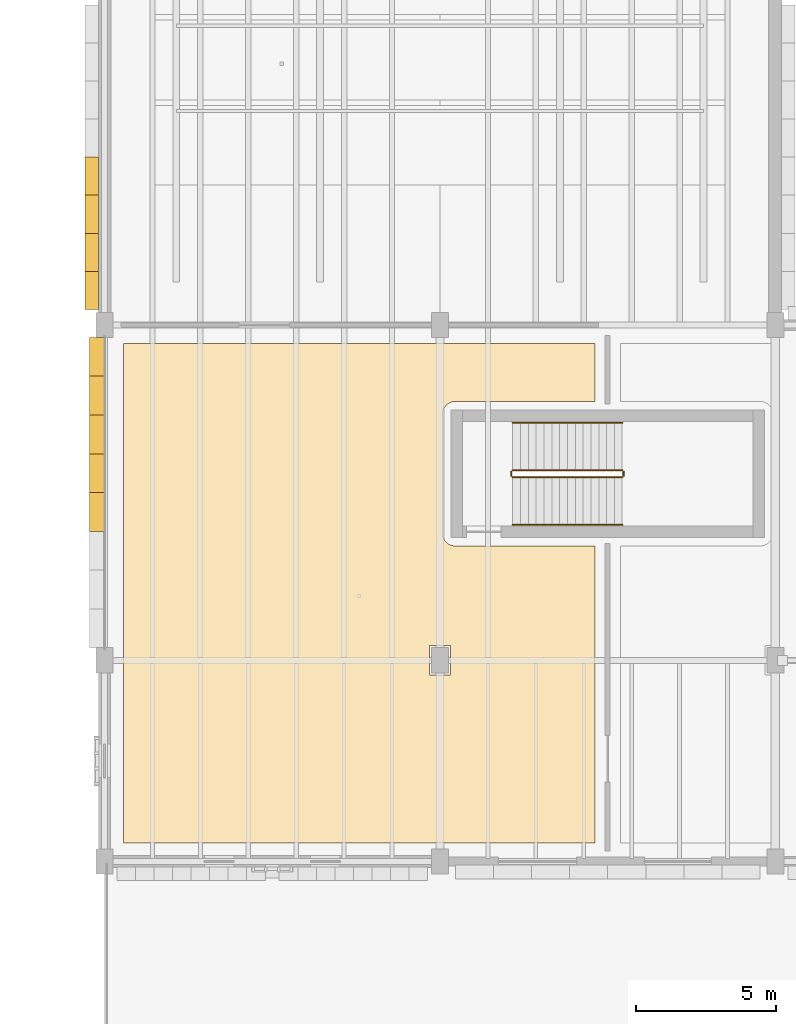
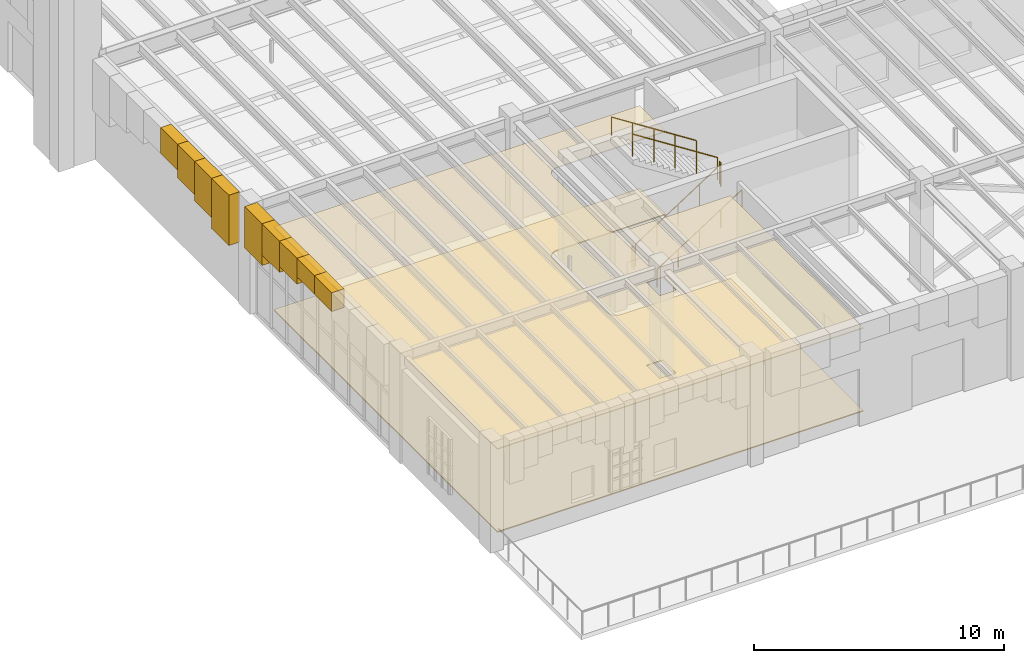
# One storey, part 71 of 103: 11 coverings, 6 railings.
"""IFC4 building model written with IfcOpenShell, lengths in metres."""

from ifc_helpers import new_model, si_unit, direction, frame, origin, origin_2d, place, context, subcontext, project, spatial, polyline, circle, outline, extrude, material, layer, layer_set, type_object, element, save


model = new_model("IFC4")

# Units and contexts
model_context = context("Model", 3, precision=1e-05, world=origin(), true_north=direction((0.0, 1.0)))
body_context = subcontext(model_context, "Body", "Model", "MODEL_VIEW")
ifc_project = project(units=[si_unit("LENGTHUNIT", "METRE"), si_unit("AREAUNIT", "SQUARE_METRE"), si_unit("VOLUMEUNIT", "CUBIC_METRE"), si_unit("PLANEANGLEUNIT", "RADIAN"), si_unit("MASSUNIT", "GRAM", prefix="KILO")], contexts=[model_context])

# Site, building, storey
site_placement = place(None, origin())
site = spatial("IfcSite", under=ifc_project, at=site_placement, CompositionType="ELEMENT")
building_placement = place(site_placement, origin())
building = spatial("IfcBuilding", under=site, at=building_placement, Name="Zlatogorsky Bluff Art Gallery", CompositionType="ELEMENT")
storey_placement = place(building_placement, origin())
storey = spatial("IfcBuildingStorey", under=building, at=storey_placement, Name="L00", CompositionType="ELEMENT", Elevation=0.0)

# Coverings
ifc_material_1 = material(Name="Perforated Gypsum Acoustic Board", Category="gypsum")
ifc_layer_1 = layer(ifc_material_1, 0.0400390625)
ifc_layer_set_1 = layer_set([ifc_layer_1], Name="Acoustic Gallery Ceiling CLG-01")
covering_type_1 = type_object("IfcCoveringType", Name="Acoustic Gallery Ceiling CLG-01", PredefinedType="CEILING", material=ifc_layer_set_1)
covering_1_placement = place(storey_placement, frame((0.0, 0.0, 4.050048828125)))
element("IfcCovering", 1, at=covering_1_placement, inside=storey, type_object=covering_type_1, Name="Learning Centre Studios acoustic ceiling", PredefinedType="CEILING", context=body_context, shape_type="SweptSolid", body=[
    extrude(outline(polyline([(17.550048828125, 23.659912109375), (12.549072265625, 23.659912109375), (12.504638671875, 23.65771484375), (12.460693359375, 23.6513671875), (12.459716796875, 23.651123046875), (12.450439453125, 23.649169921875), (12.449462890625, 23.64892578125), (12.40625, 23.636962890625), (12.3642578125, 23.620849609375), (12.362548828125, 23.6201171875), (12.326904296875, 23.602294921875), (12.325927734375, 23.601806640625), (12.293701171875, 23.58203125), (12.26318359375, 23.559814453125), (12.26171875, 23.55859375), (12.224609375, 23.525390625), (12.19140625, 23.48828125), (12.190185546875, 23.48681640625), (12.16796875, 23.456298828125), (12.148193359375, 23.424072265625), (12.147705078125, 23.423095703125), (12.1298828125, 23.387451171875), (12.129150390625, 23.3857421875), (12.113037109375, 23.34375), (12.10107421875, 23.300537109375), (12.100830078125, 23.299560546875), (12.098876953125, 23.290283203125), (12.0986328125, 23.289306640625), (12.09228515625, 23.245361328125), (12.090087890625, 23.200927734375), (12.090087890625, 18.948974609375), (12.09228515625, 18.90478515625), (12.0986328125, 18.860595703125), (12.098876953125, 18.859619140625), (12.100830078125, 18.850341796875), (12.10107421875, 18.849609375), (12.113037109375, 18.80615234375), (12.129150390625, 18.764404296875), (12.1298828125, 18.762451171875), (12.147705078125, 18.726806640625), (12.148193359375, 18.725830078125), (12.16796875, 18.693603515625), (12.190185546875, 18.663330078125), (12.19140625, 18.661865234375), (12.224609375, 18.624755859375), (12.26171875, 18.591552734375), (12.26318359375, 18.59033203125), (12.293701171875, 18.568115234375), (12.325927734375, 18.54833984375), (12.326904296875, 18.5478515625), (12.362548828125, 18.530029296875), (12.3642578125, 18.529296875), (12.40625, 18.512939453125), (12.449462890625, 18.501220703125), (12.450439453125, 18.5009765625), (12.459716796875, 18.498779296875), (12.460693359375, 18.498779296875), (12.504638671875, 18.4921875), (12.549072265625, 18.489990234375), (17.550048828125, 18.489990234375), (17.550048828125, 7.8701171875), (0.669921875, 7.8701171875), (0.669921875, 25.72998046875), (17.550048828125, 25.72998046875), (17.550048828125, 23.659912109375)]), holes=[polyline([(11.6201171875, 14.929931640625), (11.6201171875, 13.8701171875), (12.3798828125, 13.8701171875), (12.3798828125, 14.929931640625), (11.6201171875, 14.929931640625)])]), origin(), (0.0, 0.0, 1.0), 0.0400390625),
])
ifc_material_2 = material(Name="Honed Red Agra-Tone Quartzitic Sandstone", Category="masonry")
ifc_layer_2 = layer(ifc_material_2, 0.1201171875)
ifc_layer_set_2 = layer_set([ifc_layer_2], Name="Carved Sandstone Cladding CLD-02")
covering_type_2 = type_object("IfcCoveringType", Name="Carved Sandstone Cladding CLD-02", PredefinedType="CLADDING", material=ifc_layer_set_2)
covering_2_placement = place(storey_placement, frame((0.0, 0.0, 4.45458984375)))
element("IfcCovering", 2, at=covering_2_placement, inside=storey, type_object=covering_type_2, Name="Pointed Mughal arch voussoir spandrel ARCH-CW-L00-W-00-02.4", PredefinedType="CLADDING", context=body_context, shape_type="SweptSolid", body=[
    extrude(outline(polyline([(-0.5400390625, 19.01123046875), (-0.5400390625, 20.39990234375), (0.030029296875, 20.39990234375), (0.030029296875, 19.01123046875), (-0.5400390625, 19.01123046875)])), origin(), (0.0, 0.0, 1.0), 0.905517578125),
])
covering_3_placement = place(storey_placement, frame((0.0, 0.0, 4.45458984375)))
element("IfcCovering", 3, at=covering_3_placement, inside=storey, type_object=covering_type_2, Name="Pointed Mughal arch voussoir spandrel ARCH-CW-L00-W-00-02.5", PredefinedType="CLADDING", context=body_context, shape_type="SweptSolid", body=[
    extrude(outline(polyline([(-0.5400390625, 20.39990234375), (-0.5400390625, 21.788818359375), (0.030029296875, 21.788818359375), (0.030029296875, 20.39990234375), (-0.5400390625, 20.39990234375)])), origin(), (0.0, 0.0, 1.0), 0.905517578125),
])
covering_4_placement = place(storey_placement, frame((0.0, 0.0, 4.1064453125)))
element("IfcCovering", 4, at=covering_4_placement, inside=storey, type_object=covering_type_2, Name="Pointed Mughal arch voussoir spandrel ARCH-CW-L00-W-00-02.6", PredefinedType="CLADDING", context=body_context, shape_type="SweptSolid", body=[
    extrude(outline(polyline([(-0.5400390625, 21.788818359375), (-0.5400390625, 23.177490234375), (0.030029296875, 23.177490234375), (0.030029296875, 21.788818359375), (-0.5400390625, 21.788818359375)])), origin(), (0.0, 0.0, 1.0), 1.253662109375),
])
covering_5_placement = place(storey_placement, frame((0.0, 0.0, 3.82958984375)))
element("IfcCovering", 5, at=covering_5_placement, inside=storey, type_object=covering_type_2, Name="Pointed Mughal arch voussoir spandrel ARCH-CW-L00-W-00-02.7", PredefinedType="CLADDING", context=body_context, shape_type="SweptSolid", body=[
    extrude(outline(polyline([(-0.5400390625, 23.177490234375), (-0.5400390625, 24.566162109375), (0.030029296875, 24.566162109375), (0.030029296875, 23.177490234375), (-0.5400390625, 23.177490234375)])), origin(), (0.0, 0.0, 1.0), 1.530517578125),
])
covering_6_placement = place(storey_placement, frame((0.0, 0.0, 3.327880859375)))
element("IfcCovering", 6, at=covering_6_placement, inside=storey, type_object=covering_type_2, Name="Pointed Mughal arch voussoir spandrel ARCH-CW-L00-W-00-02.8", PredefinedType="CLADDING", context=body_context, shape_type="SweptSolid", body=[
    extrude(outline(polyline([(-0.5400390625, 24.566162109375), (-0.5400390625, 25.955078125), (0.030029296875, 25.955078125), (0.030029296875, 24.566162109375), (-0.5400390625, 24.566162109375)])), origin(), (0.0, 0.0, 1.0), 2.0322265625),
])
covering_7_placement = place(storey_placement, frame((0.0, 0.0, 2.90234375)))
element("IfcCovering", 7, at=covering_7_placement, inside=storey, type_object=covering_type_2, Name="Pointed Mughal arch voussoir spandrel WARCH-L00-W-00-03-A.1", PredefinedType="CLADDING", context=body_context, shape_type="SweptSolid", body=[
    extrude(outline(polyline([(-0.699951171875, 26.949951171875), (-0.699951171875, 28.3125), (-0.2099609375, 28.3125), (-0.2099609375, 26.949951171875), (-0.699951171875, 26.949951171875)])), origin(), (0.0, 0.0, 1.0), 2.457763671875),
])
covering_8_placement = place(storey_placement, frame((0.0, 0.0, 3.433837890625)))
element("IfcCovering", 8, at=covering_8_placement, inside=storey, type_object=covering_type_2, Name="Pointed Mughal arch voussoir spandrel WARCH-L00-W-00-03-A.2", PredefinedType="CLADDING", context=body_context, shape_type="SweptSolid", body=[
    extrude(outline(polyline([(-0.699951171875, 28.3125), (-0.699951171875, 29.675048828125), (-0.2099609375, 29.675048828125), (-0.2099609375, 28.3125), (-0.699951171875, 28.3125)])), origin(), (0.0, 0.0, 1.0), 1.92626953125),
])
covering_9_placement = place(storey_placement, frame((0.0, 0.0, 3.726806640625)))
element("IfcCovering", 9, at=covering_9_placement, inside=storey, type_object=covering_type_2, Name="Pointed Mughal arch voussoir spandrel WARCH-L00-W-00-03-A.3", PredefinedType="CLADDING", context=body_context, shape_type="SweptSolid", body=[
    extrude(outline(polyline([(-0.699951171875, 29.675048828125), (-0.699951171875, 31.03759765625), (-0.2099609375, 31.03759765625), (-0.2099609375, 29.675048828125), (-0.699951171875, 29.675048828125)])), origin(), (0.0, 0.0, 1.0), 1.63330078125),
])
covering_10_placement = place(storey_placement, frame((0.0, 0.0, 4.095458984375)))
element("IfcCovering", 10, at=covering_10_placement, inside=storey, type_object=covering_type_2, Name="Pointed Mughal arch voussoir spandrel WARCH-L00-W-00-03-A.4", PredefinedType="CLADDING", context=body_context, shape_type="SweptSolid", body=[
    extrude(outline(polyline([(-0.699951171875, 31.03759765625), (-0.699951171875, 32.39990234375), (-0.2099609375, 32.39990234375), (-0.2099609375, 31.03759765625), (-0.699951171875, 31.03759765625)])), origin(), (0.0, 0.0, 1.0), 1.2646484375),
])

# Railings
ifc_material_3 = material(Name="Architectural Bronze and Laminated Glass", Category="glass")
railing_type_1 = type_object("IfcRailingType", Name="Gallery Guard Rail 1100mm", PredefinedType="GUARDRAIL", material=ifc_material_3)
railing_1_placement = place(storey_placement, frame((14.60009765625, 20.949951171875, 0.179931640625)))
element("IfcRailing", 11, at=railing_1_placement, inside=storey, type_object=railing_type_1, Name="L00 ST-09 stair guard 1", PredefinedType="GUARDRAIL", context=body_context, shape_type="SweptSolid", body=[
    extrude(circle(Radius=0.02392578125, at=origin_2d()), frame((0.0, 0.0, 1.076171875), z_axis=(0.841171666519, 0.0, 0.540768182723), x_axis=(0.0, 1.0, 0.0)), (0.0, 0.0, 1.0), 4.66015625),
    extrude(circle(Radius=0.02099609375, at=origin_2d()), origin(), (0.0, 0.0, 1.0), 1.052001953125),
    extrude(circle(Radius=0.02099609375, at=origin_2d()), frame((0.97998046875, 0.0, 0.6298828125)), (0.0, 0.0, 1.0), 1.052001953125),
    extrude(circle(Radius=0.02099609375, at=origin_2d()), frame((1.9599609375, 0.0, 1.260009765625)), (0.0, 0.0, 1.0), 1.052001953125),
    extrude(circle(Radius=0.02099609375, at=origin_2d()), frame((2.93994140625, 0.0, 1.89013671875)), (0.0, 0.0, 1.0), 1.052001953125),
    extrude(circle(Radius=0.02099609375, at=origin_2d()), frame((3.919921875, 0.0, 2.52001953125)), (0.0, 0.0, 1.0), 1.052001953125),
])
railing_2_placement = place(storey_placement, frame((18.570068359375, 21.0, 2.699951171875)))
element("IfcRailing", 12, at=railing_2_placement, inside=storey, type_object=railing_type_1, Name="L00 ST-09 stair guard 2", PredefinedType="GUARDRAIL", context=body_context, shape_type="SweptSolid", body=[
    extrude(circle(Radius=0.02392578125, at=origin_2d()), frame((0.0, 0.0, 1.076171875), z_axis=(0.0, 1.0, 0.0), x_axis=(-1.0, 0.0, 0.0)), (0.0, 0.0, 1.0), 0.14990234375),
    extrude(circle(Radius=0.02099609375, at=origin_2d()), origin(), (0.0, 0.0, 1.0), 1.052001953125),
    extrude(circle(Radius=0.02099609375, at=origin_2d()), frame((0.0, 0.14990234375, 0.0)), (0.0, 0.0, 1.0), 1.052001953125),
])
railing_3_placement = place(storey_placement, frame((18.52001953125, 21.199951171875, 2.8798828125)))
element("IfcRailing", 13, at=railing_3_placement, inside=storey, type_object=railing_type_1, Name="L00 ST-09 stair guard 3", PredefinedType="GUARDRAIL", context=body_context, shape_type="SweptSolid", body=[
    extrude(circle(Radius=0.02392578125, at=origin_2d()), frame((0.0, 0.0, 1.076171875), z_axis=(-0.841171666519, 0.0, 0.540768182723), x_axis=(0.0, -1.0, 0.0)), (0.0, 0.0, 1.0), 4.66015625),
    extrude(circle(Radius=0.02099609375, at=origin_2d()), origin(), (0.0, 0.0, 1.0), 1.052001953125),
    extrude(circle(Radius=0.02099609375, at=origin_2d()), frame((-0.97998046875, 0.0, 0.6298828125)), (0.0, 0.0, 1.0), 1.052001953125),
    extrude(circle(Radius=0.02099609375, at=origin_2d()), frame((-1.9599609375, 0.0, 1.260009765625)), (0.0, 0.0, 1.0), 1.052001953125),
    extrude(circle(Radius=0.02099609375, at=origin_2d()), frame((-2.93994140625, 0.0, 1.89013671875)), (0.0, 0.0, 1.0), 1.052001953125),
    extrude(circle(Radius=0.02099609375, at=origin_2d()), frame((-3.919921875, 0.0, 2.52001953125)), (0.0, 0.0, 1.0), 1.052001953125),
])
railing_4_placement = place(storey_placement, frame((14.550048828125, 21.0, 0.0)))
element("IfcRailing", 14, at=railing_4_placement, inside=storey, type_object=railing_type_1, Name="L00 ST-09 stair guard 4", PredefinedType="GUARDRAIL", context=body_context, shape_type="SweptSolid", body=[
    extrude(circle(Radius=0.02392578125, at=origin_2d()), frame((0.0, 0.0, 1.076171875), z_axis=(0.0, 1.0, 0.0), x_axis=(-1.0, 0.0, 0.0)), (0.0, 0.0, 1.0), 0.14990234375),
    extrude(circle(Radius=0.02099609375, at=origin_2d()), origin(), (0.0, 0.0, 1.0), 1.052001953125),
    extrude(circle(Radius=0.02099609375, at=origin_2d()), frame((0.0, 0.14990234375, 0.0)), (0.0, 0.0, 1.0), 1.052001953125),
])
ifc_material_4 = material(Name="Brushed Stainless Steel", Category="steel")
railing_type_2 = type_object("IfcRailingType", Name="Stair Pitch Handrail 900mm", PredefinedType="HANDRAIL", material=ifc_material_4)
railing_5_placement = place(storey_placement, frame((14.60009765625, 19.25, 0.179931640625)))
element("IfcRailing", 15, at=railing_5_placement, inside=storey, type_object=railing_type_2, Name="L00 ST-09 stair handrail 1", PredefinedType="HANDRAIL", context=body_context, shape_type="SweptSolid", body=[
    extrude(circle(Radius=0.02392578125, at=origin_2d()), frame((0.0, 0.0, 0.8759765625), z_axis=(0.841171666519, 0.0, 0.540768182723), x_axis=(0.0, 1.0, 0.0)), (0.0, 0.0, 1.0), 4.66015625),
    extrude(circle(Radius=0.02099609375, at=origin_2d()), origin(), (0.0, 0.0, 1.0), 0.851806640625),
    extrude(circle(Radius=0.02099609375, at=origin_2d()), frame((0.97998046875, 0.0, 0.6298828125)), (0.0, 0.0, 1.0), 0.851806640625),
    extrude(circle(Radius=0.02099609375, at=origin_2d()), frame((1.9599609375, 0.0, 1.260009765625)), (0.0, 0.0, 1.0), 0.851806640625),
    extrude(circle(Radius=0.02099609375, at=origin_2d()), frame((2.93994140625, 0.0, 1.89013671875)), (0.0, 0.0, 1.0), 0.851806640625),
    extrude(circle(Radius=0.02099609375, at=origin_2d()), frame((3.919921875, 0.0, 2.52001953125)), (0.0, 0.0, 1.0), 0.851806640625),
])
railing_6_placement = place(storey_placement, frame((18.52001953125, 22.89990234375, 2.8798828125)))
element("IfcRailing", 16, at=railing_6_placement, inside=storey, type_object=railing_type_2, Name="L00 ST-09 stair handrail 2", PredefinedType="HANDRAIL", context=body_context, shape_type="SweptSolid", body=[
    extrude(circle(Radius=0.02392578125, at=origin_2d()), frame((0.0, 0.0, 0.8759765625), z_axis=(-0.841171666519, 0.0, 0.540768182723), x_axis=(0.0, -1.0, 0.0)), (0.0, 0.0, 1.0), 4.66015625),
    extrude(circle(Radius=0.02099609375, at=origin_2d()), origin(), (0.0, 0.0, 1.0), 0.851806640625),
    extrude(circle(Radius=0.02099609375, at=origin_2d()), frame((-0.97998046875, 0.0, 0.6298828125)), (0.0, 0.0, 1.0), 0.851806640625),
    extrude(circle(Radius=0.02099609375, at=origin_2d()), frame((-1.9599609375, 0.0, 1.260009765625)), (0.0, 0.0, 1.0), 0.851806640625),
    extrude(circle(Radius=0.02099609375, at=origin_2d()), frame((-2.93994140625, 0.0, 1.89013671875)), (0.0, 0.0, 1.0), 0.851806640625),
    extrude(circle(Radius=0.02099609375, at=origin_2d()), frame((-3.919921875, 0.0, 2.52001953125)), (0.0, 0.0, 1.0), 0.851806640625),
])

# Covering
ifc_material_5 = material(Name="Polished Ural Marble Terrazzo", Category="masonry")
ifc_layer_3 = layer(ifc_material_5, 0.050048828125)
ifc_layer_set_3 = layer_set([ifc_layer_3], Name="Terrazzo Gallery Flooring FLR-01")
covering_type_3 = type_object("IfcCoveringType", Name="Terrazzo Gallery Flooring FLR-01", PredefinedType="FLOORING", material=ifc_layer_set_3)
covering_11_placement = place(storey_placement, origin())
element("IfcCovering", 17, at=covering_11_placement, inside=storey, type_object=covering_type_3, Name="Learning Centre Studios terrazzo floor finish", PredefinedType="FLOORING", context=body_context, shape_type="SweptSolid", body=[
    extrude(outline(polyline([(17.550048828125, 23.659912109375), (12.549072265625, 23.659912109375), (12.504638671875, 23.65771484375), (12.460693359375, 23.6513671875), (12.459716796875, 23.651123046875), (12.450439453125, 23.649169921875), (12.449462890625, 23.64892578125), (12.40625, 23.636962890625), (12.3642578125, 23.620849609375), (12.362548828125, 23.6201171875), (12.326904296875, 23.602294921875), (12.325927734375, 23.601806640625), (12.293701171875, 23.58203125), (12.26318359375, 23.559814453125), (12.26171875, 23.55859375), (12.224609375, 23.525390625), (12.19140625, 23.48828125), (12.190185546875, 23.48681640625), (12.16796875, 23.456298828125), (12.148193359375, 23.424072265625), (12.147705078125, 23.423095703125), (12.1298828125, 23.387451171875), (12.129150390625, 23.3857421875), (12.113037109375, 23.34375), (12.10107421875, 23.300537109375), (12.100830078125, 23.299560546875), (12.098876953125, 23.290283203125), (12.0986328125, 23.289306640625), (12.09228515625, 23.245361328125), (12.090087890625, 23.200927734375), (12.090087890625, 18.948974609375), (12.09228515625, 18.90478515625), (12.0986328125, 18.860595703125), (12.098876953125, 18.859619140625), (12.100830078125, 18.850341796875), (12.10107421875, 18.849609375), (12.113037109375, 18.80615234375), (12.129150390625, 18.764404296875), (12.1298828125, 18.762451171875), (12.147705078125, 18.726806640625), (12.148193359375, 18.725830078125), (12.16796875, 18.693603515625), (12.190185546875, 18.663330078125), (12.19140625, 18.661865234375), (12.224609375, 18.624755859375), (12.26171875, 18.591552734375), (12.26318359375, 18.59033203125), (12.293701171875, 18.568115234375), (12.325927734375, 18.54833984375), (12.326904296875, 18.5478515625), (12.362548828125, 18.530029296875), (12.3642578125, 18.529296875), (12.40625, 18.512939453125), (12.449462890625, 18.501220703125), (12.450439453125, 18.5009765625), (12.459716796875, 18.498779296875), (12.460693359375, 18.498779296875), (12.504638671875, 18.4921875), (12.549072265625, 18.489990234375), (17.550048828125, 18.489990234375), (17.550048828125, 7.8701171875), (0.669921875, 7.8701171875), (0.669921875, 25.72998046875), (17.550048828125, 25.72998046875), (17.550048828125, 23.659912109375)]), holes=[polyline([(11.6201171875, 14.929931640625), (11.6201171875, 13.8701171875), (12.3798828125, 13.8701171875), (12.3798828125, 14.929931640625), (11.6201171875, 14.929931640625)])]), origin(), (0.0, 0.0, 1.0), 0.050048828125),
])

save(model, "model.ifc")
